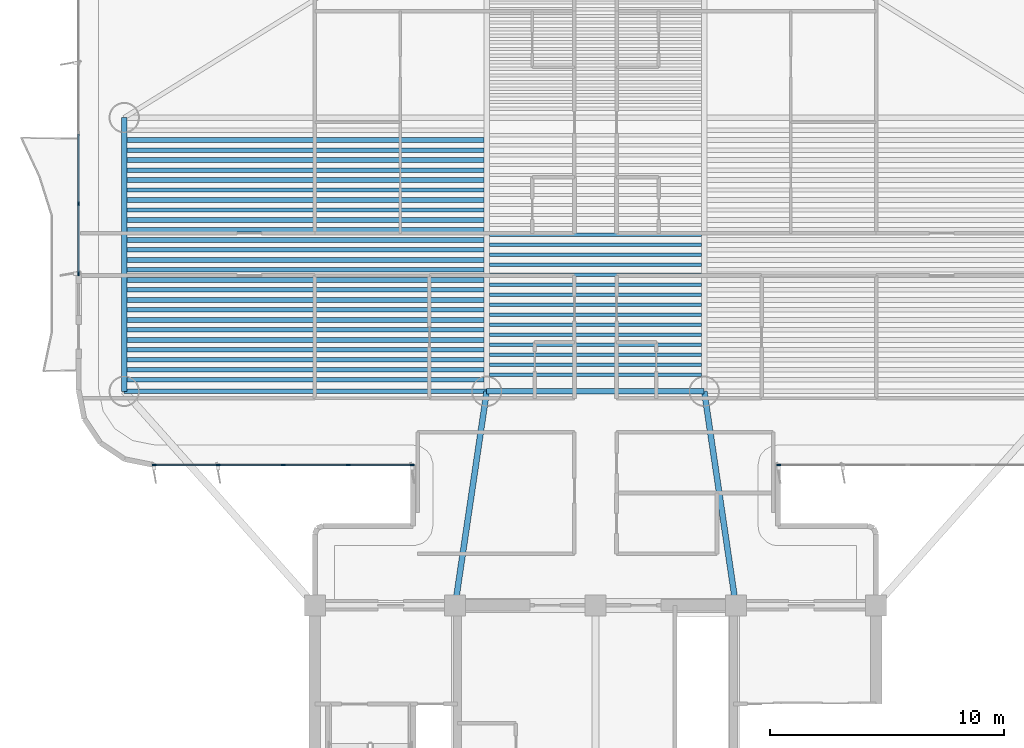
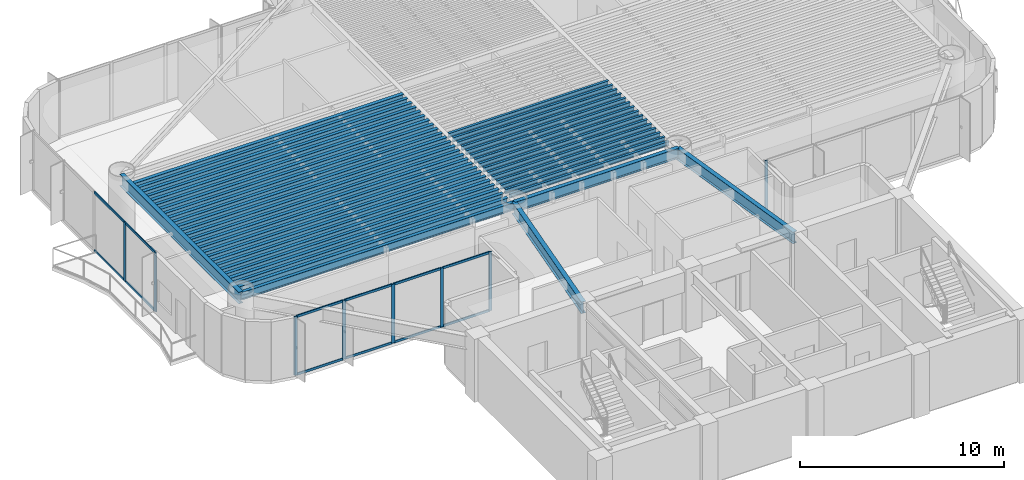
# One storey, part 2 of 17: 45 beams, 20 members, 3 elements without a shape of their own.
"""IFC4 building model written with IfcOpenShell, lengths in metres."""

from ifc_helpers import new_model, si_unit, direction, frame, origin, origin_2d, place, context, subcontext, project, spatial, rectangle, i_section, extrude, source, transform, mapped, material, layer, layer_set, material_profile, profile_set, type_object, element, aggregate, save


model = new_model("IFC4")

# Units and contexts
model_context = context("Model", 3, precision=1e-05, world=origin(), true_north=direction((0.0, 1.0)))
body_context = subcontext(model_context, "Body", "Model", "MODEL_VIEW")
ifc_project = project(units=[si_unit("LENGTHUNIT", "METRE"), si_unit("AREAUNIT", "SQUARE_METRE"), si_unit("VOLUMEUNIT", "CUBIC_METRE"), si_unit("PLANEANGLEUNIT", "RADIAN"), si_unit("MASSUNIT", "GRAM", prefix="KILO")], contexts=[model_context])

# Site, building, storey
site_placement = place(None, origin())
site = spatial("IfcSite", under=ifc_project, at=site_placement, CompositionType="ELEMENT")
building_placement = place(site_placement, origin())
building = spatial("IfcBuilding", under=site, at=building_placement, Name="Brelvock Crest Care Tower", CompositionType="ELEMENT")
storey_placement = place(building_placement, frame((0.0, 0.0, 93.60009765625)))
storey = spatial("IfcBuildingStorey", under=building, at=storey_placement, Name="L23", CompositionType="ELEMENT", Elevation=93.60009765625)

# Beams
ifc_material_1 = material(Name="Steel Grade 350", Category="steel")
ifc_material_profile_1 = material_profile(ifc_material_1, i_section(OverallWidth=0.22900390625, OverallDepth=0.612060546875, WebThickness=0.011962890625, FlangeThickness=0.01953125, FilletRadius=0.013916015625, at=origin_2d()), Name="610UB125")
ifc_profile_set_1 = profile_set([ifc_material_profile_1], Name="Steel Grade 350")
beam_type_1 = type_object("IfcBeamType", Name="BM-G1", PredefinedType="BEAM", material=ifc_profile_set_1)
shared_shape_1 = source(origin(), body_context, "Body", "SweptSolid", [
    extrude(i_section(OverallWidth=0.22900390625, OverallDepth=0.612060546875, WebThickness=0.011962890625, FlangeThickness=0.01953125, FilletRadius=0.013916015625, at=origin_2d()), origin(), (0.0, 0.0, 1.0), 9.2998046875),
])
beam_1_placement = place(storey_placement, frame((31.35009765625, 27.14990234375, 3.223876953125), z_axis=(1.0, 0.0, 0.0), x_axis=(0.0, 1.0, 0.0)))
element("IfcBeam", 1, at=beam_1_placement, inside=storey, type_object=beam_type_1, Name="BM-TWR-L23-05", PredefinedType="BEAM", context=body_context, shape_type="MappedRepresentation", body=[
    mapped(shared_shape_1, transform((0.0, 0.0, 0.0), x_axis=(1.0, 0.0, 0.0), y_axis=(0.0, 1.0, 0.0), z_axis=(0.0, 0.0, 1.0), scale=1.0)),
])
ifc_material_profile_2 = material_profile(ifc_material_1, i_section(OverallWidth=0.14599609375, OverallDepth=0.256103515625, WebThickness=0.00634765625, FlangeThickness=0.010986328125, FilletRadius=0.0087890625, at=origin_2d()), Name="250UB37.3")
ifc_profile_set_2 = profile_set([ifc_material_profile_2], Name="Steel Grade 350")
beam_type_2 = type_object("IfcBeamType", Name="BM-J3", PredefinedType="JOIST", material=ifc_profile_set_2)
shared_shape_2 = source(origin(), body_context, "Body", "SweptSolid", [
    extrude(i_section(OverallWidth=0.14599609375, OverallDepth=0.256103515625, WebThickness=0.00634765625, FlangeThickness=0.010986328125, FilletRadius=0.0087890625, at=origin_2d()), origin(), (0.0, 0.0, 1.0), 9.06982421875),
])
for number, where, z_axis, x_axis, name in (
    (2, (31.465087890625, 27.85498046875, 3.40185546875), (1.0, 0.0, 0.0), (0.0, 1.0, 0.0), "BM-JH-L23-1"),
    (3, (31.465087890625, 28.281982421875, 3.40185546875), (1.0, 0.0, 0.0), (0.0, 1.0, 0.0), "BM-JH-L23-2"),
    (4, (31.465087890625, 28.708984375, 3.40185546875), (1.0, 0.0, 0.0), (0.0, 1.0, 0.0), "BM-JH-L23-3"),
    (5, (31.465087890625, 29.135986328125, 3.40185546875), (1.0, 0.0, 0.0), (0.0, 1.0, 0.0), "BM-JH-L23-4"),
    (6, (31.465087890625, 29.56298828125, 3.40185546875), (1.0, 0.0, 0.0), (0.0, 1.0, 0.0), "BM-JH-L23-5"),
    (7, (31.465087890625, 29.990234375, 3.40185546875), (1.0, 0.0, 0.0), (0.0, 1.0, 0.0), "BM-JH-L23-6"),
    (8, (31.465087890625, 30.417236328125, 3.40185546875), (1.0, 0.0, 0.0), (0.0, 1.0, 0.0), "BM-JH-L23-7"),
    (9, (31.465087890625, 30.84423828125, 3.40185546875), (1.0, 0.0, 0.0), (0.0, 1.0, 0.0), "BM-JH-L23-8"),
    (10, (31.465087890625, 31.271240234375, 3.40185546875), (1.0, 0.0, 0.0), (0.0, 1.0, 0.0), "BM-JH-L23-9"),
    (11, (31.465087890625, 31.698486328125, 3.40185546875), (1.0, 0.0, 0.0), (0.0, 1.0, 0.0), "BM-JH-L23-10"),
    (12, (31.465087890625, 32.12548828125, 3.40185546875), (1.0, 0.0, 0.0), (0.0, 1.0, 0.0), "BM-JH-L23-11"),
    (13, (31.465087890625, 32.552490234375, 3.40185546875), (1.0, 0.0, 0.0), (0.0, 1.0, 0.0), "BM-JH-L23-12"),
    (14, (31.465087890625, 32.9794921875, 3.40185546875), (1.0, 0.0, 0.0), (0.0, 1.0, 0.0), "BM-JH-L23-13"),
    (15, (31.465087890625, 33.406494140625, 3.40185546875), (1.0, 0.0, 0.0), (0.0, 1.0, 0.0), "BM-JH-L23-14"),
    (16, (31.465087890625, 33.83349609375, 3.40185546875), (1.0, 0.0, 0.0), (0.0, 1.0, 0.0), "BM-JH-L23-15"),
):
    element("IfcBeam", number, at=place(storey_placement, frame(where, z_axis=z_axis, x_axis=x_axis)), inside=storey, type_object=beam_type_2, Name=name, PredefinedType="JOIST", context=body_context, shape_type="MappedRepresentation", body=[
        mapped(shared_shape_2, transform((0.0, 0.0, 0.0), x_axis=(1.0, 0.0, 0.0), y_axis=(0.0, 1.0, 0.0), z_axis=(0.0, 0.0, 1.0), scale=1.0)),
    ])
ifc_material_profile_3 = material_profile(ifc_material_1, i_section(OverallWidth=0.208984375, OverallDepth=0.532958984375, WebThickness=0.01025390625, FlangeThickness=0.015625, FilletRadius=0.013916015625, at=origin_2d()), Name="530UB92.4")
ifc_profile_set_3 = profile_set([ifc_material_profile_3], Name="Steel Grade 350")
beam_type_3 = type_object("IfcBeamType", Name="BM-G2", PredefinedType="BEAM", material=ifc_profile_set_3)
shared_shape_3 = source(origin(), body_context, "Body", "SweptSolid", [
    extrude(i_section(OverallWidth=0.208984375, OverallDepth=0.532958984375, WebThickness=0.01025390625, FlangeThickness=0.015625, FilletRadius=0.013916015625, at=origin_2d()), origin(), (0.0, 0.0, 1.0), 15.27001953125),
])
for number, where, z_axis, x_axis, name in (
    (17, (15.965087890625, 27.641357421875, 3.263427734375), (1.0, 0.0, 0.0), (0.0, 1.0, 0.0), "BM-JW-L23-1"),
    (18, (15.965087890625, 28.49560546875, 3.263427734375), (1.0, 0.0, 0.0), (0.0, 1.0, 0.0), "BM-JW-L23-3"),
    (19, (15.965087890625, 29.349609375, 3.263427734375), (1.0, 0.0, 0.0), (0.0, 1.0, 0.0), "BM-JW-L23-5"),
    (20, (15.965087890625, 30.20361328125, 3.263427734375), (1.0, 0.0, 0.0), (0.0, 1.0, 0.0), "BM-JW-L23-7"),
    (21, (15.965087890625, 31.057861328125, 3.263427734375), (1.0, 0.0, 0.0), (0.0, 1.0, 0.0), "BM-JW-L23-9"),
    (22, (15.965087890625, 31.911865234375, 3.263427734375), (1.0, 0.0, 0.0), (0.0, 1.0, 0.0), "BM-JW-L23-11"),
    (23, (15.965087890625, 32.76611328125, 3.263427734375), (1.0, 0.0, 0.0), (0.0, 1.0, 0.0), "BM-JW-L23-13"),
    (24, (15.965087890625, 33.6201171875, 3.263427734375), (1.0, 0.0, 0.0), (0.0, 1.0, 0.0), "BM-JW-L23-15"),
    (25, (15.965087890625, 34.47412109375, 3.263427734375), (1.0, 0.0, 0.0), (0.0, 1.0, 0.0), "BM-JW-L23-17"),
    (26, (15.965087890625, 35.328369140625, 3.263427734375), (1.0, 0.0, 0.0), (0.0, 1.0, 0.0), "BM-JW-L23-19"),
    (27, (15.965087890625, 36.182373046875, 3.263427734375), (1.0, 0.0, 0.0), (0.0, 1.0, 0.0), "BM-JW-L23-21"),
    (28, (15.965087890625, 37.03662109375, 3.263427734375), (1.0, 0.0, 0.0), (0.0, 1.0, 0.0), "BM-JW-L23-23"),
    (29, (15.965087890625, 37.890625, 3.263427734375), (1.0, 0.0, 0.0), (0.0, 1.0, 0.0), "BM-JW-L23-25"),
):
    element("IfcBeam", number, at=place(storey_placement, frame(where, z_axis=z_axis, x_axis=x_axis)), inside=storey, type_object=beam_type_3, Name=name, PredefinedType="BEAM", context=body_context, shape_type="MappedRepresentation", body=[
        mapped(shared_shape_3, transform((0.0, 0.0, 0.0), x_axis=(1.0, 0.0, 0.0), y_axis=(0.0, 1.0, 0.0), z_axis=(0.0, 0.0, 1.0), scale=1.0)),
    ])
ifc_material_profile_4 = material_profile(ifc_material_1, i_section(OverallWidth=0.19091796875, OverallDepth=0.4599609375, WebThickness=0.010009765625, FlangeThickness=0.01611328125, FilletRadius=0.011474609375, at=origin_2d()), Name="460UB82.1")
ifc_profile_set_4 = profile_set([ifc_material_profile_4], Name="Steel Grade 350")
beam_type_4 = type_object("IfcBeamType", Name="BM-G3", PredefinedType="BEAM", material=ifc_profile_set_4)
shared_shape_4 = source(origin(), body_context, "Body", "SweptSolid", [
    extrude(i_section(OverallWidth=0.19091796875, OverallDepth=0.4599609375, WebThickness=0.010009765625, FlangeThickness=0.01611328125, FilletRadius=0.011474609375, at=origin_2d()), origin(), (0.0, 0.0, 1.0), 15.27001953125),
])
for number, where, z_axis, x_axis, name in (
    (30, (15.965087890625, 28.068359375, 3.2998046875), (1.0, 0.0, 0.0), (0.0, 1.0, 0.0), "BM-JW-L23-2"),
    (31, (15.965087890625, 28.922607421875, 3.2998046875), (1.0, 0.0, 0.0), (0.0, 1.0, 0.0), "BM-JW-L23-4"),
    (32, (15.965087890625, 29.776611328125, 3.2998046875), (1.0, 0.0, 0.0), (0.0, 1.0, 0.0), "BM-JW-L23-6"),
    (33, (15.965087890625, 30.630615234375, 3.2998046875), (1.0, 0.0, 0.0), (0.0, 1.0, 0.0), "BM-JW-L23-8"),
    (34, (15.965087890625, 31.48486328125, 3.2998046875), (1.0, 0.0, 0.0), (0.0, 1.0, 0.0), "BM-JW-L23-10"),
    (35, (15.965087890625, 32.3388671875, 3.2998046875), (1.0, 0.0, 0.0), (0.0, 1.0, 0.0), "BM-JW-L23-12"),
    (36, (15.965087890625, 33.193115234375, 3.2998046875), (1.0, 0.0, 0.0), (0.0, 1.0, 0.0), "BM-JW-L23-14"),
    (37, (15.965087890625, 34.047119140625, 3.2998046875), (1.0, 0.0, 0.0), (0.0, 1.0, 0.0), "BM-JW-L23-16"),
    (38, (15.965087890625, 34.901123046875, 3.2998046875), (1.0, 0.0, 0.0), (0.0, 1.0, 0.0), "BM-JW-L23-18"),
    (39, (15.965087890625, 35.75537109375, 3.2998046875), (1.0, 0.0, 0.0), (0.0, 1.0, 0.0), "BM-JW-L23-20"),
    (40, (15.965087890625, 36.609619140625, 3.2998046875), (1.0, 0.0, 0.0), (0.0, 1.0, 0.0), "BM-JW-L23-22"),
    (41, (15.965087890625, 37.46337890625, 3.2998046875), (1.0, 0.0, 0.0), (0.0, 1.0, 0.0), "BM-JW-L23-24"),
):
    element("IfcBeam", number, at=place(storey_placement, frame(where, z_axis=z_axis, x_axis=x_axis)), inside=storey, type_object=beam_type_4, Name=name, PredefinedType="BEAM", context=body_context, shape_type="MappedRepresentation", body=[
        mapped(shared_shape_4, transform((0.0, 0.0, 0.0), x_axis=(1.0, 0.0, 0.0), y_axis=(0.0, 1.0, 0.0), z_axis=(0.0, 0.0, 1.0), scale=1.0)),
    ])
ifc_material_profile_5 = material_profile(ifc_material_1, i_section(OverallWidth=0.25, OverallDepth=0.699951171875, WebThickness=0.011962890625, FlangeThickness=0.02001953125, at=origin_2d()), Name="700WB150")
ifc_profile_set_5 = profile_set([ifc_material_profile_5], Name="Steel Grade 350")
beam_type_5 = type_object("IfcBeamType", Name="BM-G4", PredefinedType="BEAM", material=ifc_profile_set_5)
shared_shape_5 = source(origin(), body_context, "Body", "SweptSolid", [
    extrude(i_section(OverallWidth=0.25, OverallDepth=0.699951171875, WebThickness=0.011962890625, FlangeThickness=0.02001953125, at=origin_2d()), origin(), (0.0, 0.0, 1.0), 11.7001953125),
])
beam_2_placement = place(storey_placement, frame((15.85009765625, 27.14990234375, 3.179931640625), z_axis=(0.0, 1.0, 0.0), x_axis=(-1.0, 0.0, 0.0)))
element("IfcBeam", 42, at=beam_2_placement, inside=storey, type_object=beam_type_5, Name="BM-TWR-L23-01", PredefinedType="BEAM", context=body_context, shape_type="MappedRepresentation", body=[
    mapped(shared_shape_5, transform((0.0, 0.0, 0.0), x_axis=(1.0, 0.0, 0.0), y_axis=(0.0, 1.0, 0.0), z_axis=(0.0, 0.0, 1.0), scale=1.0)),
])
ifc_material_profile_6 = material_profile(ifc_material_1, i_section(OverallWidth=0.19091796875, OverallDepth=0.4599609375, WebThickness=0.010009765625, FlangeThickness=0.01611328125, FilletRadius=0.011474609375, at=origin_2d()), Name="460UB82.1")
ifc_profile_set_6 = profile_set([ifc_material_profile_6], Name="Steel Grade 350")
beam_type_6 = type_object("IfcBeamType", Name="BM-SP2", PredefinedType="SPANDREL", material=ifc_profile_set_6)
shared_shape_6 = source(origin(), body_context, "Body", "SweptSolid", [
    extrude(i_section(OverallWidth=0.19091796875, OverallDepth=0.4599609375, WebThickness=0.010009765625, FlangeThickness=0.01611328125, FilletRadius=0.011474609375, at=origin_2d()), origin(), (0.0, 0.0, 1.0), 15.5),
])
beam_3_placement = place(storey_placement, frame((15.85009765625, 27.14990234375, 3.2998046875), z_axis=(1.0, 0.0, 0.0), x_axis=(0.0, 1.0, 0.0)))
element("IfcBeam", 43, at=beam_3_placement, inside=storey, type_object=beam_type_6, Name="BM-TWR-L23-03", PredefinedType="SPANDREL", context=body_context, shape_type="MappedRepresentation", body=[
    mapped(shared_shape_6, transform((0.0, 0.0, 0.0), x_axis=(1.0, 0.0, 0.0), y_axis=(0.0, 1.0, 0.0), z_axis=(0.0, 0.0, 1.0), scale=1.0)),
])
shared_shape_7 = source(origin(), body_context, "Body", "SweptSolid", [
    extrude(i_section(OverallWidth=0.25, OverallDepth=0.699951171875, WebThickness=0.011962890625, FlangeThickness=0.02001953125, at=origin_2d()), origin(), (0.0, 0.0, 1.0), 9.2490234375),
])
for number, where, z_axis, x_axis, name in (
    (44, (30.0, 18.0, 3.179931640625), (0.145972731602, 0.989288613918, 0.0), (-0.989288613918, 0.145972731602, 0.0), "BM-THRW-L23"),
    (45, (42.0, 18.0, 3.179931640625), (-0.145972731602, 0.989288613918, 0.0), (-0.989288613918, -0.145972731602, 0.0), "BM-THRE-L23"),
):
    element("IfcBeam", number, at=place(storey_placement, frame(where, z_axis=z_axis, x_axis=x_axis)), inside=storey, type_object=beam_type_5, Name=name, PredefinedType="BEAM", context=body_context, shape_type="MappedRepresentation", body=[
        mapped(shared_shape_7, transform((0.0, 0.0, 0.0), x_axis=(1.0, 0.0, 0.0), y_axis=(0.0, 1.0, 0.0), z_axis=(0.0, 0.0, 1.0), scale=1.0)),
    ])

# Curtain wall, members
ifc_material_2 = material(Name="Dark Glass Double Glazed Low-E", Category="glass")
ifc_layer = layer(ifc_material_2, 0.2099609375, Name="CWS-3")
ifc_layer_set = layer_set([ifc_layer], Name="Dark Glass Double Glazed Low-E")
curtain_wall_type = type_object("IfcCurtainWallType", Name="CWS-3", PredefinedType="NOTDEFINED", material=ifc_layer_set)
curtain_wall_1_placement = place(storey_placement, origin())
curtain_wall_1 = element("IfcCurtainWall", 46, at=curtain_wall_1_placement, inside=storey, type_object=curtain_wall_type, Name="L23 Curtain Wall E12", PredefinedType="NOTDEFINED")
ifc_material_3 = material(Name="Aluminium 6063-T6", Category="aluminium")
ifc_material_profile_7 = material_profile(ifc_material_3, rectangle(XDim=0.06005859375, YDim=0.139892578125, at=origin_2d()), Name="ALU60x140")
ifc_profile_set_7 = profile_set([ifc_material_profile_7], Name="Aluminium 6063-T6")
member_type_1 = type_object("IfcMemberType", Name="CWT-2", PredefinedType="USERDEFINED", material=ifc_profile_set_7)
shared_shape_8 = source(origin(), body_context, "Body", "SweptSolid", [
    extrude(rectangle(XDim=0.06005859375, YDim=0.139892578125, at=origin_2d()), origin(), (0.0, 0.0, 1.0), 2.684814453125),
])
member_1_placement = place(storey_placement, frame((28.139892578125, 24.0, 0.02978515625), z_axis=(-1.0, 0.0, 0.0), x_axis=(0.0, -1.0, 0.0)))
member_1 = element("IfcMember", 47, at=member_1_placement, type_object=member_type_1, Name="CW-3 transom 1.1", ObjectType="TRANSOM", PredefinedType="USERDEFINED", context=body_context, shape_type="MappedRepresentation", body=[
    mapped(shared_shape_8, transform((0.0, 0.0, 0.0), x_axis=(1.0, 0.0, 0.0), y_axis=(0.0, 1.0, 0.0), z_axis=(0.0, 0.0, 1.0), scale=1.0)),
])
member_2_placement = place(storey_placement, frame((28.139892578125, 24.0, 3.5), z_axis=(-1.0, 0.0, 0.0), x_axis=(0.0, -1.0, 0.0)))
member_2 = element("IfcMember", 48, at=member_2_placement, type_object=member_type_1, Name="CW-3 transom 1.2", ObjectType="TRANSOM", PredefinedType="USERDEFINED", context=body_context, shape_type="MappedRepresentation", body=[
    mapped(shared_shape_8, transform((0.0, 0.0, 0.0), x_axis=(1.0, 0.0, 0.0), y_axis=(0.0, 1.0, 0.0), z_axis=(0.0, 0.0, 1.0), scale=1.0)),
])
shared_shape_9 = source(origin(), body_context, "Body", "SweptSolid", [
    extrude(rectangle(XDim=0.06005859375, YDim=0.139892578125, at=origin_2d()), origin(), (0.0, 0.0, 1.0), 2.715087890625),
])
member_3_placement = place(storey_placement, frame((25.39501953125, 24.0, 0.02978515625), z_axis=(-1.0, 0.0, 0.0), x_axis=(0.0, -1.0, 0.0)))
member_3 = element("IfcMember", 49, at=member_3_placement, type_object=member_type_1, Name="CW-3 transom 2.1", ObjectType="TRANSOM", PredefinedType="USERDEFINED", context=body_context, shape_type="MappedRepresentation", body=[
    mapped(shared_shape_9, transform((0.0, 0.0, 0.0), x_axis=(1.0, 0.0, 0.0), y_axis=(0.0, 1.0, 0.0), z_axis=(0.0, 0.0, 1.0), scale=1.0)),
])
member_4_placement = place(storey_placement, frame((25.39501953125, 24.0, 3.5), z_axis=(-1.0, 0.0, 0.0), x_axis=(0.0, -1.0, 0.0)))
member_4 = element("IfcMember", 50, at=member_4_placement, type_object=member_type_1, Name="CW-3 transom 2.2", ObjectType="TRANSOM", PredefinedType="USERDEFINED", context=body_context, shape_type="MappedRepresentation", body=[
    mapped(shared_shape_9, transform((0.0, 0.0, 0.0), x_axis=(1.0, 0.0, 0.0), y_axis=(0.0, 1.0, 0.0), z_axis=(0.0, 0.0, 1.0), scale=1.0)),
])
member_5_placement = place(storey_placement, frame((22.6201171875, 24.0, 0.02978515625), z_axis=(-1.0, 0.0, 0.0), x_axis=(0.0, -1.0, 0.0)))
member_5 = element("IfcMember", 51, at=member_5_placement, type_object=member_type_1, Name="CW-3 transom 3.1", ObjectType="TRANSOM", PredefinedType="USERDEFINED", context=body_context, shape_type="MappedRepresentation", body=[
    mapped(shared_shape_9, transform((0.0, 0.0, 0.0), x_axis=(1.0, 0.0, 0.0), y_axis=(0.0, 1.0, 0.0), z_axis=(0.0, 0.0, 1.0), scale=1.0)),
])
member_6_placement = place(storey_placement, frame((22.6201171875, 24.0, 3.5), z_axis=(-1.0, 0.0, 0.0), x_axis=(0.0, -1.0, 0.0)))
member_6 = element("IfcMember", 52, at=member_6_placement, type_object=member_type_1, Name="CW-3 transom 3.2", ObjectType="TRANSOM", PredefinedType="USERDEFINED", context=body_context, shape_type="MappedRepresentation", body=[
    mapped(shared_shape_9, transform((0.0, 0.0, 0.0), x_axis=(1.0, 0.0, 0.0), y_axis=(0.0, 1.0, 0.0), z_axis=(0.0, 0.0, 1.0), scale=1.0)),
])
shared_shape_10 = source(origin(), body_context, "Body", "SweptSolid", [
    extrude(rectangle(XDim=0.06005859375, YDim=0.139892578125, at=origin_2d()), origin(), (0.0, 0.0, 1.0), 2.68505859375),
])
member_7_placement = place(storey_placement, frame((19.844970703125, 24.0, 0.02978515625), z_axis=(-1.0, 0.0, 0.0), x_axis=(0.0, -1.0, 0.0)))
member_7 = element("IfcMember", 53, at=member_7_placement, type_object=member_type_1, Name="CW-3 transom 4.1", ObjectType="TRANSOM", PredefinedType="USERDEFINED", context=body_context, shape_type="MappedRepresentation", body=[
    mapped(shared_shape_10, transform((0.0, 0.0, 0.0), x_axis=(1.0, 0.0, 0.0), y_axis=(0.0, 1.0, 0.0), z_axis=(0.0, 0.0, 1.0), scale=1.0)),
])
member_8_placement = place(storey_placement, frame((19.844970703125, 24.0, 3.5), z_axis=(-1.0, 0.0, 0.0), x_axis=(0.0, -1.0, 0.0)))
member_8 = element("IfcMember", 54, at=member_8_placement, type_object=member_type_1, Name="CW-3 transom 4.2", ObjectType="TRANSOM", PredefinedType="USERDEFINED", context=body_context, shape_type="MappedRepresentation", body=[
    mapped(shared_shape_10, transform((0.0, 0.0, 0.0), x_axis=(1.0, 0.0, 0.0), y_axis=(0.0, 1.0, 0.0), z_axis=(0.0, 0.0, 1.0), scale=1.0)),
])

curtain_wall_2_placement = place(storey_placement, origin())
curtain_wall_2 = element("IfcCurtainWall", 55, at=curtain_wall_2_placement, inside=storey, type_object=curtain_wall_type, Name="L23 Curtain Wall E17B", PredefinedType="NOTDEFINED")
shared_shape_11 = source(origin(), body_context, "Body", "SweptSolid", [
    extrude(rectangle(XDim=0.06005859375, YDim=0.139892578125, at=origin_2d()), origin(), (0.0, 0.0, 1.0), 2.922607421875),
])
member_9_placement = place(storey_placement, frame((13.89990234375, 32.2099609375, 0.02978515625), z_axis=(0.0, 1.0, 0.0), x_axis=(-1.0, 0.0, 0.0)))
member_9 = element("IfcMember", 56, at=member_9_placement, type_object=member_type_1, Name="CW-3 transom 1.1", ObjectType="TRANSOM", PredefinedType="USERDEFINED", context=body_context, shape_type="MappedRepresentation", body=[
    mapped(shared_shape_11, transform((0.0, 0.0, 0.0), x_axis=(1.0, 0.0, 0.0), y_axis=(0.0, 1.0, 0.0), z_axis=(0.0, 0.0, 1.0), scale=1.0)),
])
member_10_placement = place(storey_placement, frame((13.89990234375, 32.2099609375, 3.5), z_axis=(0.0, 1.0, 0.0), x_axis=(-1.0, 0.0, 0.0)))
member_10 = element("IfcMember", 57, at=member_10_placement, type_object=member_type_1, Name="CW-3 transom 1.2", ObjectType="TRANSOM", PredefinedType="USERDEFINED", context=body_context, shape_type="MappedRepresentation", body=[
    mapped(shared_shape_11, transform((0.0, 0.0, 0.0), x_axis=(1.0, 0.0, 0.0), y_axis=(0.0, 1.0, 0.0), z_axis=(0.0, 0.0, 1.0), scale=1.0)),
])
shared_shape_12 = source(origin(), body_context, "Body", "SweptSolid", [
    extrude(rectangle(XDim=0.06005859375, YDim=0.139892578125, at=origin_2d()), origin(), (0.0, 0.0, 1.0), 2.95263671875),
])
member_11_placement = place(storey_placement, frame((13.89990234375, 35.1923828125, 0.02978515625), z_axis=(0.0, 1.0, 0.0), x_axis=(-1.0, 0.0, 0.0)))
member_11 = element("IfcMember", 58, at=member_11_placement, type_object=member_type_1, Name="CW-3 transom 2.1", ObjectType="TRANSOM", PredefinedType="USERDEFINED", context=body_context, shape_type="MappedRepresentation", body=[
    mapped(shared_shape_12, transform((0.0, 0.0, 0.0), x_axis=(1.0, 0.0, 0.0), y_axis=(0.0, 1.0, 0.0), z_axis=(0.0, 0.0, 1.0), scale=1.0)),
])
member_12_placement = place(storey_placement, frame((13.89990234375, 35.1923828125, 3.5), z_axis=(0.0, 1.0, 0.0), x_axis=(-1.0, 0.0, 0.0)))
member_12 = element("IfcMember", 59, at=member_12_placement, type_object=member_type_1, Name="CW-3 transom 2.2", ObjectType="TRANSOM", PredefinedType="USERDEFINED", context=body_context, shape_type="MappedRepresentation", body=[
    mapped(shared_shape_12, transform((0.0, 0.0, 0.0), x_axis=(1.0, 0.0, 0.0), y_axis=(0.0, 1.0, 0.0), z_axis=(0.0, 0.0, 1.0), scale=1.0)),
])

# Member
ifc_material_profile_8 = material_profile(ifc_material_3, rectangle(XDim=0.06005859375, YDim=0.179931640625, at=origin_2d()), Name="ALU60x180")
ifc_profile_set_8 = profile_set([ifc_material_profile_8], Name="Aluminium 6063-T6")
member_type_2 = type_object("IfcMemberType", Name="CWM-2", PredefinedType="MULLION", material=ifc_profile_set_8)
shared_shape_13 = source(origin(), body_context, "Body", "SweptSolid", [
    extrude(rectangle(XDim=0.06005859375, YDim=0.179931640625, at=origin_2d()), origin(), (0.0, 0.0, 1.0), 3.52978515625),
])
member_13_placement = place(storey_placement, frame((28.169921875, 24.0, 0.0), z_axis=(0.0, 0.0, 1.0), x_axis=(0.0, -1.0, 0.0)))
member_13 = element("IfcMember", 60, at=member_13_placement, type_object=member_type_2, Name="CW-3 mullion 1", PredefinedType="MULLION", context=body_context, shape_type="MappedRepresentation", body=[
    mapped(shared_shape_13, transform((0.0, 0.0, 0.0), x_axis=(1.0, 0.0, 0.0), y_axis=(0.0, 1.0, 0.0), z_axis=(0.0, 0.0, 1.0), scale=1.0)),
])

member_14_placement = place(storey_placement, frame((25.425048828125, 24.0, 0.0), z_axis=(0.0, 0.0, 1.0), x_axis=(0.0, -1.0, 0.0)))
member_14 = element("IfcMember", 61, at=member_14_placement, type_object=member_type_2, Name="CW-3 mullion 2", PredefinedType="MULLION", context=body_context, shape_type="MappedRepresentation", body=[
    mapped(shared_shape_13, transform((0.0, 0.0, 0.0), x_axis=(1.0, 0.0, 0.0), y_axis=(0.0, 1.0, 0.0), z_axis=(0.0, 0.0, 1.0), scale=1.0)),
])

member_15_placement = place(storey_placement, frame((22.64990234375, 24.0, 0.0), z_axis=(0.0, 0.0, 1.0), x_axis=(0.0, -1.0, 0.0)))
member_15 = element("IfcMember", 62, at=member_15_placement, type_object=member_type_2, Name="CW-3 mullion 3", PredefinedType="MULLION", context=body_context, shape_type="MappedRepresentation", body=[
    mapped(shared_shape_13, transform((0.0, 0.0, 0.0), x_axis=(1.0, 0.0, 0.0), y_axis=(0.0, 1.0, 0.0), z_axis=(0.0, 0.0, 1.0), scale=1.0)),
])

member_16_placement = place(storey_placement, frame((19.875, 24.0, 0.0), z_axis=(0.0, 0.0, 1.0), x_axis=(0.0, -1.0, 0.0)))
member_16 = element("IfcMember", 63, at=member_16_placement, type_object=member_type_2, Name="CW-3 mullion 4", PredefinedType="MULLION", context=body_context, shape_type="MappedRepresentation", body=[
    mapped(shared_shape_13, transform((0.0, 0.0, 0.0), x_axis=(1.0, 0.0, 0.0), y_axis=(0.0, 1.0, 0.0), z_axis=(0.0, 0.0, 1.0), scale=1.0)),
])

member_17_placement = place(storey_placement, frame((17.1298828125, 24.0, 0.0), z_axis=(0.0, 0.0, 1.0), x_axis=(0.0, -1.0, 0.0)))
member_17 = element("IfcMember", 64, at=member_17_placement, type_object=member_type_2, Name="CW-3 mullion 5", PredefinedType="MULLION", context=body_context, shape_type="MappedRepresentation", body=[
    mapped(shared_shape_13, transform((0.0, 0.0, 0.0), x_axis=(1.0, 0.0, 0.0), y_axis=(0.0, 1.0, 0.0), z_axis=(0.0, 0.0, 1.0), scale=1.0)),
])

aggregate(curtain_wall_1, [member_13, member_14, member_15, member_16, member_17, member_1, member_2, member_3, member_4, member_5, member_6, member_7, member_8])

member_18_placement = place(storey_placement, frame((13.89990234375, 32.179931640625, 0.0), z_axis=(0.0, 0.0, 1.0), x_axis=(-1.0, 0.0, 0.0)))
member_18 = element("IfcMember", 65, at=member_18_placement, type_object=member_type_2, Name="CW-3 mullion 1", PredefinedType="MULLION", context=body_context, shape_type="MappedRepresentation", body=[
    mapped(shared_shape_13, transform((0.0, 0.0, 0.0), x_axis=(1.0, 0.0, 0.0), y_axis=(0.0, 1.0, 0.0), z_axis=(0.0, 0.0, 1.0), scale=1.0)),
])

member_19_placement = place(storey_placement, frame((13.89990234375, 35.16259765625, 0.0), z_axis=(0.0, 0.0, 1.0), x_axis=(-1.0, 0.0, 0.0)))
member_19 = element("IfcMember", 66, at=member_19_placement, type_object=member_type_2, Name="CW-3 mullion 2", PredefinedType="MULLION", context=body_context, shape_type="MappedRepresentation", body=[
    mapped(shared_shape_13, transform((0.0, 0.0, 0.0), x_axis=(1.0, 0.0, 0.0), y_axis=(0.0, 1.0, 0.0), z_axis=(0.0, 0.0, 1.0), scale=1.0)),
])

aggregate(curtain_wall_2, [member_18, member_19, member_9, member_10, member_11, member_12])

# Curtain wall, member
curtain_wall_3_placement = place(storey_placement, origin())
curtain_wall_3 = element("IfcCurtainWall", 67, at=curtain_wall_3_placement, inside=storey, type_object=curtain_wall_type, Name="L23 Curtain Wall E44", PredefinedType="NOTDEFINED")
member_20_placement = place(storey_placement, frame((43.830078125, 24.0, 0.0), z_axis=(0.0, 0.0, 1.0), x_axis=(0.0, -1.0, 0.0)))
member_20 = element("IfcMember", 68, at=member_20_placement, type_object=member_type_2, Name="CW-3 mullion 5", PredefinedType="MULLION", context=body_context, shape_type="MappedRepresentation", body=[
    mapped(shared_shape_13, transform((0.0, 0.0, 0.0), x_axis=(1.0, 0.0, 0.0), y_axis=(0.0, 1.0, 0.0), z_axis=(0.0, 0.0, 1.0), scale=1.0)),
])
aggregate(curtain_wall_3, [member_20])

save(model, "model.ifc")
